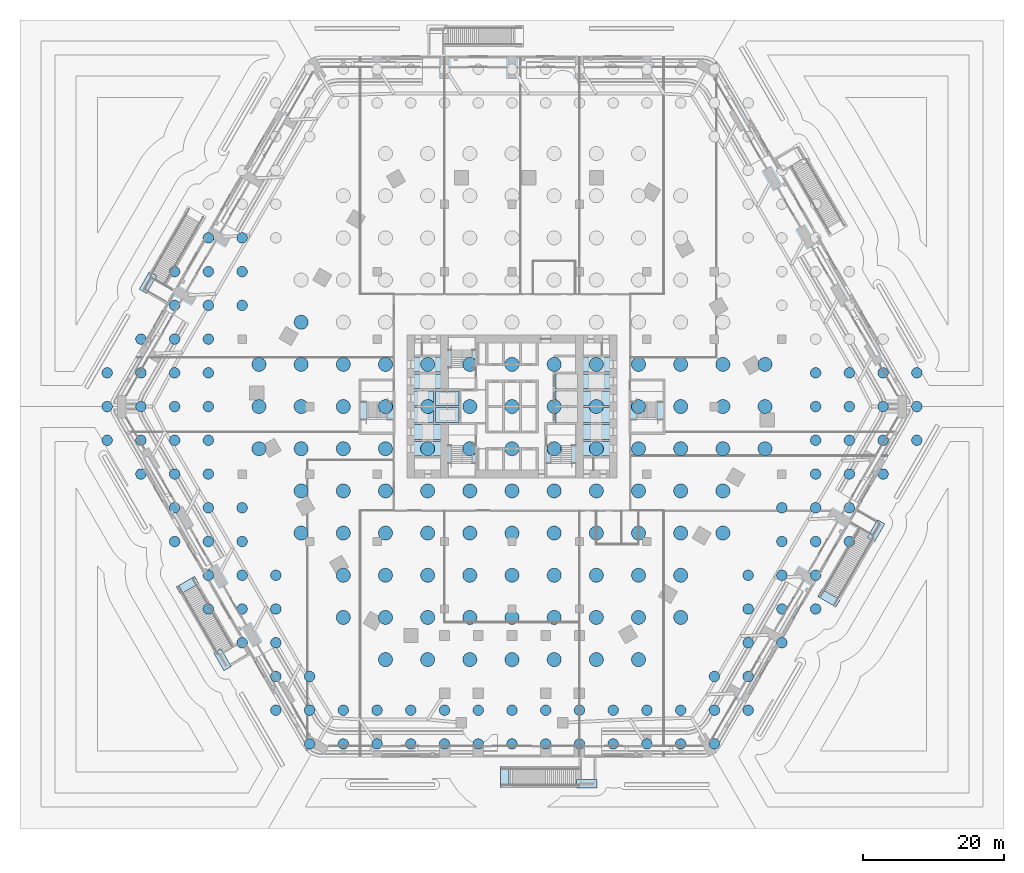
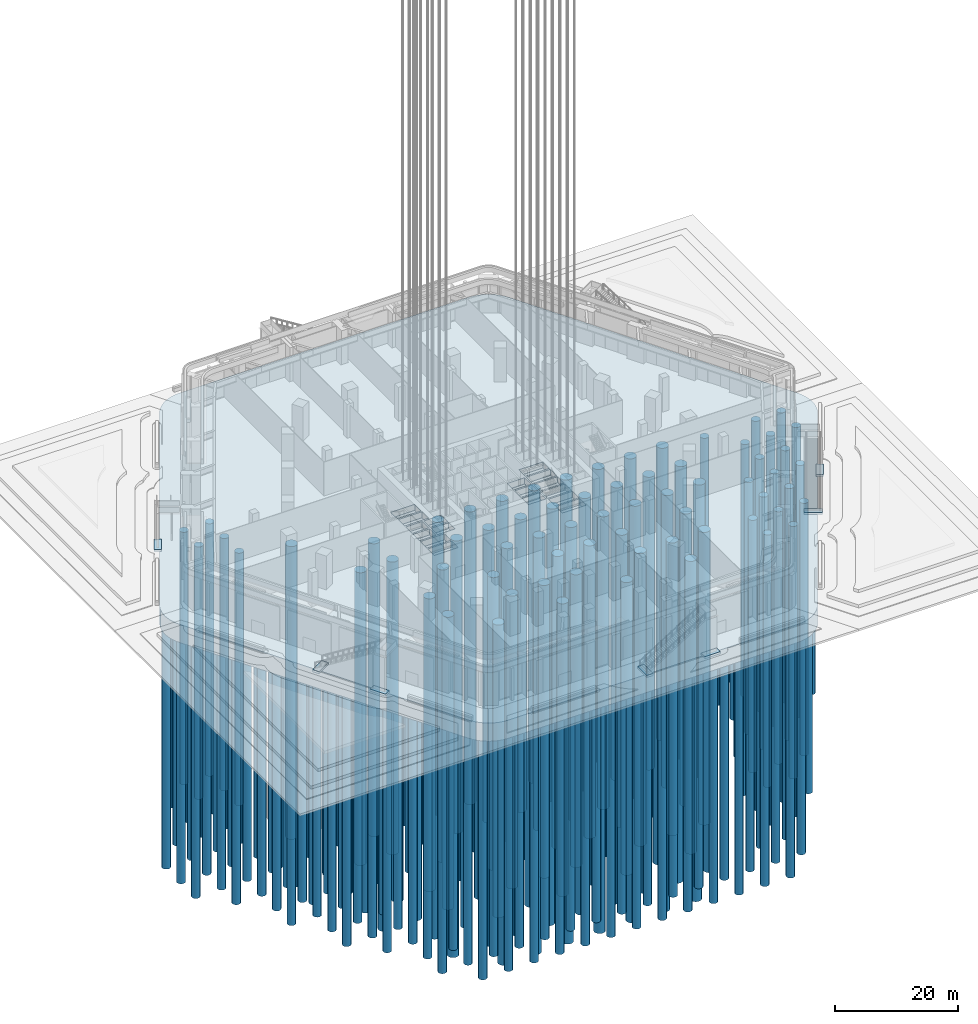
# One storey, part 1 of 68: 188 piles, 8 footings.
"""IFC4 building model written with IfcOpenShell, lengths in metres."""

from ifc_helpers import new_model, si_unit, direction, frame, origin, origin_2d, place, context, subcontext, project, spatial, polyline, circle, outline, extrude, material, layer, layer_set, material_profile, profile_set, type_object, element, save


model = new_model("IFC4")

# Units and contexts
model_context = context("Model", 3, precision=1e-05, world=origin(), true_north=direction((0.0, 1.0)))
body_context = subcontext(model_context, "Body", "Model", "MODEL_VIEW")
ifc_project = project(units=[si_unit("LENGTHUNIT", "METRE"), si_unit("AREAUNIT", "SQUARE_METRE"), si_unit("VOLUMEUNIT", "CUBIC_METRE"), si_unit("PLANEANGLEUNIT", "RADIAN"), si_unit("MASSUNIT", "GRAM", prefix="KILO")], contexts=[model_context])

# Site, building, storey
site_placement = place(None, origin())
site = spatial("IfcSite", under=ifc_project, at=site_placement, CompositionType="ELEMENT")
building_placement = place(site_placement, origin())
building = spatial("IfcBuilding", under=site, at=building_placement, Name="Kolab Exchange Tower", CompositionType="ELEMENT")
storey_placement = place(building_placement, origin())
storey = spatial("IfcBuildingStorey", under=building, at=storey_placement, Name="L00", CompositionType="ELEMENT", Elevation=0.0)

# Piles
ifc_material = material(Name="Concrete C35/45", Category="concrete")
ifc_material_profile_1 = material_profile(ifc_material, circle(Radius=0.75, at=origin_2d()), Name="BP1500")
ifc_profile_set_1 = profile_set([ifc_material_profile_1], Name="Concrete C35/45")
pile_type_1 = type_object("IfcPileType", Name="BORED PILE 1500", PredefinedType="BORED", material=ifc_profile_set_1)
for number, where, z_axis, x_axis, name in (
    (1, (-57.60009765625, -4.800048828125, -4.0), (0.0, 0.0, -1.0), (1.0, 0.0, 0.0), "pile/raft/P000"),
    (2, (-57.60009765625, 0.0, -4.0), (0.0, 0.0, -1.0), (1.0, 0.0, 0.0), "pile/raft/P001"),
    (3, (-57.60009765625, 4.800048828125, -4.0), (0.0, 0.0, -1.0), (1.0, 0.0, 0.0), "pile/raft/P002"),
    (4, (-52.800048828125, -9.60009765625, -4.0), (0.0, 0.0, -1.0), (1.0, 0.0, 0.0), "pile/raft/P003"),
    (5, (-52.800048828125, -4.800048828125, -4.0), (0.0, 0.0, -1.0), (1.0, 0.0, 0.0), "pile/raft/P004"),
    (6, (-52.800048828125, 0.0, -4.0), (0.0, 0.0, -1.0), (1.0, 0.0, 0.0), "pile/raft/P005"),
    (7, (-52.800048828125, 4.800048828125, -4.0), (0.0, 0.0, -1.0), (1.0, 0.0, 0.0), "pile/raft/P006"),
    (8, (-52.800048828125, 9.60009765625, -4.0), (0.0, 0.0, -1.0), (1.0, 0.0, 0.0), "pile/raft/P007"),
    (9, (-48.0, -19.199951171875, -4.0), (0.0, 0.0, -1.0), (1.0, 0.0, 0.0), "pile/raft/P008"),
    (10, (-48.0, -14.39990234375, -4.0), (0.0, 0.0, -1.0), (1.0, 0.0, 0.0), "pile/raft/P009"),
    (11, (-48.0, -9.60009765625, -4.0), (0.0, 0.0, -1.0), (1.0, 0.0, 0.0), "pile/raft/P010"),
    (12, (-48.0, -4.800048828125, -4.0), (0.0, 0.0, -1.0), (1.0, 0.0, 0.0), "pile/raft/P011"),
    (13, (-48.0, 0.0, -4.0), (0.0, 0.0, -1.0), (1.0, 0.0, 0.0), "pile/raft/P012"),
    (14, (-48.0, 4.800048828125, -4.0), (0.0, 0.0, -1.0), (1.0, 0.0, 0.0), "pile/raft/P013"),
    (15, (-48.0, 9.60009765625, -4.0), (0.0, 0.0, -1.0), (1.0, 0.0, 0.0), "pile/raft/P014"),
    (16, (-48.0, 14.39990234375, -4.0), (0.0, 0.0, -1.0), (1.0, 0.0, 0.0), "pile/raft/P015"),
    (17, (-48.0, 19.199951171875, -4.0), (0.0, 0.0, -1.0), (1.0, 0.0, 0.0), "pile/raft/P016"),
    (18, (-43.199951171875, -28.800048828125, -4.0), (0.0, 0.0, -1.0), (1.0, 0.0, 0.0), "pile/raft/P017"),
    (19, (-43.199951171875, -24.0, -4.0), (0.0, 0.0, -1.0), (1.0, 0.0, 0.0), "pile/raft/P018"),
    (20, (-43.199951171875, -19.199951171875, -4.0), (0.0, 0.0, -1.0), (1.0, 0.0, 0.0), "pile/raft/P019"),
    (21, (-43.199951171875, -14.39990234375, -4.0), (0.0, 0.0, -1.0), (1.0, 0.0, 0.0), "pile/raft/P020"),
    (22, (-43.199951171875, -9.60009765625, -4.0), (0.0, 0.0, -1.0), (1.0, 0.0, 0.0), "pile/raft/P021"),
    (23, (-43.199951171875, -4.800048828125, -4.0), (0.0, 0.0, -1.0), (1.0, 0.0, 0.0), "pile/raft/P022"),
    (24, (-43.199951171875, 0.0, -4.0), (0.0, 0.0, -1.0), (1.0, 0.0, 0.0), "pile/raft/P023"),
    (25, (-43.199951171875, 4.800048828125, -4.0), (0.0, 0.0, -1.0), (1.0, 0.0, 0.0), "pile/raft/P024"),
    (26, (-43.199951171875, 9.60009765625, -4.0), (0.0, 0.0, -1.0), (1.0, 0.0, 0.0), "pile/raft/P025"),
    (27, (-43.199951171875, 14.39990234375, -4.0), (0.0, 0.0, -1.0), (1.0, 0.0, 0.0), "pile/raft/P026"),
    (28, (-43.199951171875, 19.199951171875, -4.0), (0.0, 0.0, -1.0), (1.0, 0.0, 0.0), "pile/raft/P027"),
    (29, (-43.199951171875, 24.0, -4.0), (0.0, 0.0, -1.0), (1.0, 0.0, 0.0), "pile/raft/P028"),
    (30, (-38.39990234375, -33.60009765625, -4.0), (0.0, 0.0, -1.0), (1.0, 0.0, 0.0), "pile/raft/P030"),
    (31, (-38.39990234375, -28.800048828125, -4.0), (0.0, 0.0, -1.0), (1.0, 0.0, 0.0), "pile/raft/P031"),
    (32, (-38.39990234375, -24.0, -4.0), (0.0, 0.0, -1.0), (1.0, 0.0, 0.0), "pile/raft/P032"),
    (33, (-38.39990234375, -19.199951171875, -4.0), (0.0, 0.0, -1.0), (1.0, 0.0, 0.0), "pile/raft/P033"),
    (34, (-38.39990234375, -14.39990234375, -4.0), (0.0, 0.0, -1.0), (1.0, 0.0, 0.0), "pile/raft/P034"),
    (35, (-38.39990234375, 14.39990234375, -4.0), (0.0, 0.0, -1.0), (1.0, 0.0, 0.0), "pile/raft/P035"),
    (36, (-38.39990234375, 19.199951171875, -4.0), (0.0, 0.0, -1.0), (1.0, 0.0, 0.0), "pile/raft/P036"),
    (37, (-38.39990234375, 24.0, -4.0), (0.0, 0.0, -1.0), (1.0, 0.0, 0.0), "pile/raft/P037"),
    (38, (-33.60009765625, -43.199951171875, -4.0), (0.0, 0.0, -1.0), (1.0, 0.0, 0.0), "pile/raft/P040"),
    (39, (-33.60009765625, -38.39990234375, -4.0), (0.0, 0.0, -1.0), (1.0, 0.0, 0.0), "pile/raft/P041"),
    (40, (-33.60009765625, -33.60009765625, -4.0), (0.0, 0.0, -1.0), (1.0, 0.0, 0.0), "pile/raft/P042"),
    (41, (-33.60009765625, -28.800048828125, -4.0), (0.0, 0.0, -1.0), (1.0, 0.0, 0.0), "pile/raft/P043"),
    (42, (-33.60009765625, -24.0, -4.0), (0.0, 0.0, -1.0), (1.0, 0.0, 0.0), "pile/raft/P044"),
    (43, (-28.800048828125, -48.0, -4.0), (0.0, 0.0, -1.0), (1.0, 0.0, 0.0), "pile/raft/P050"),
    (44, (-28.800048828125, -43.199951171875, -4.0), (0.0, 0.0, -1.0), (1.0, 0.0, 0.0), "pile/raft/P051"),
    (45, (-28.800048828125, -38.39990234375, -4.0), (0.0, 0.0, -1.0), (1.0, 0.0, 0.0), "pile/raft/P052"),
    (46, (-24.0, -48.0, -4.0), (0.0, 0.0, -1.0), (1.0, 0.0, 0.0), "pile/raft/P056"),
    (47, (-24.0, -43.199951171875, -4.0), (0.0, 0.0, -1.0), (1.0, 0.0, 0.0), "pile/raft/P057"),
    (48, (-19.199951171875, -48.0, -4.0), (0.0, 0.0, -1.0), (1.0, 0.0, 0.0), "pile/raft/P060"),
    (49, (-19.199951171875, -43.199951171875, -4.0), (0.0, 0.0, -1.0), (1.0, 0.0, 0.0), "pile/raft/P061"),
    (50, (-14.39990234375, -48.0, -4.0), (0.0, 0.0, -1.0), (1.0, 0.0, 0.0), "pile/raft/P064"),
    (51, (-14.39990234375, -43.199951171875, -4.0), (0.0, 0.0, -1.0), (1.0, 0.0, 0.0), "pile/raft/P065"),
    (52, (-9.60009765625, -48.0, -4.0), (0.0, 0.0, -1.0), (1.0, 0.0, 0.0), "pile/raft/P068"),
    (53, (-9.60009765625, -43.199951171875, -4.0), (0.0, 0.0, -1.0), (1.0, 0.0, 0.0), "pile/raft/P069"),
    (54, (-4.800048828125, -48.0, -4.0), (0.0, 0.0, -1.0), (1.0, 0.0, 0.0), "pile/raft/P072"),
    (55, (-4.800048828125, -43.199951171875, -4.0), (0.0, 0.0, -1.0), (1.0, 0.0, 0.0), "pile/raft/P073"),
    (56, (0.0, -48.0, -4.0), (0.0, 0.0, -1.0), (1.0, 0.0, 0.0), "pile/raft/P076"),
    (57, (0.0, -43.199951171875, -4.0), (0.0, 0.0, -1.0), (1.0, 0.0, 0.0), "pile/raft/P077"),
    (58, (4.800048828125, -48.0, -4.0), (0.0, 0.0, -1.0), (1.0, 0.0, 0.0), "pile/raft/P080"),
    (59, (4.800048828125, -43.199951171875, -4.0), (0.0, 0.0, -1.0), (1.0, 0.0, 0.0), "pile/raft/P081"),
    (60, (9.60009765625, -48.0, -4.0), (0.0, 0.0, -1.0), (1.0, 0.0, 0.0), "pile/raft/P084"),
    (61, (9.60009765625, -43.199951171875, -4.0), (0.0, 0.0, -1.0), (1.0, 0.0, 0.0), "pile/raft/P085"),
    (62, (14.39990234375, -48.0, -4.0), (0.0, 0.0, -1.0), (1.0, 0.0, 0.0), "pile/raft/P088"),
    (63, (14.39990234375, -43.199951171875, -4.0), (0.0, 0.0, -1.0), (1.0, 0.0, 0.0), "pile/raft/P089"),
    (64, (19.199951171875, -48.0, -4.0), (0.0, 0.0, -1.0), (1.0, 0.0, 0.0), "pile/raft/P092"),
    (65, (19.199951171875, -43.199951171875, -4.0), (0.0, 0.0, -1.0), (1.0, 0.0, 0.0), "pile/raft/P093"),
    (66, (24.0, -48.0, -4.0), (0.0, 0.0, -1.0), (1.0, 0.0, 0.0), "pile/raft/P096"),
    (67, (24.0, -43.199951171875, -4.0), (0.0, 0.0, -1.0), (1.0, 0.0, 0.0), "pile/raft/P097"),
    (68, (28.800048828125, -48.0, -4.0), (0.0, 0.0, -1.0), (1.0, 0.0, 0.0), "pile/raft/P100"),
    (69, (28.800048828125, -43.199951171875, -4.0), (0.0, 0.0, -1.0), (1.0, 0.0, 0.0), "pile/raft/P101"),
    (70, (28.800048828125, -38.39990234375, -4.0), (0.0, 0.0, -1.0), (1.0, 0.0, 0.0), "pile/raft/P102"),
    (71, (33.60009765625, -43.199951171875, -4.0), (0.0, 0.0, -1.0), (1.0, 0.0, 0.0), "pile/raft/P106"),
    (72, (33.60009765625, -38.39990234375, -4.0), (0.0, 0.0, -1.0), (1.0, 0.0, 0.0), "pile/raft/P107"),
    (73, (33.60009765625, -33.60009765625, -4.0), (0.0, 0.0, -1.0), (1.0, 0.0, 0.0), "pile/raft/P108"),
    (74, (33.60009765625, -28.800048828125, -4.0), (0.0, 0.0, -1.0), (1.0, 0.0, 0.0), "pile/raft/P109"),
    (75, (33.60009765625, -24.0, -4.0), (0.0, 0.0, -1.0), (1.0, 0.0, 0.0), "pile/raft/P110"),
    (76, (38.39990234375, -33.60009765625, -4.0), (0.0, 0.0, -1.0), (1.0, 0.0, 0.0), "pile/raft/P116"),
    (77, (38.39990234375, -28.800048828125, -4.0), (0.0, 0.0, -1.0), (1.0, 0.0, 0.0), "pile/raft/P117"),
    (78, (38.39990234375, -24.0, -4.0), (0.0, 0.0, -1.0), (1.0, 0.0, 0.0), "pile/raft/P118"),
    (79, (38.39990234375, -19.199951171875, -4.0), (0.0, 0.0, -1.0), (1.0, 0.0, 0.0), "pile/raft/P119"),
    (80, (38.39990234375, -14.39990234375, -4.0), (0.0, 0.0, -1.0), (1.0, 0.0, 0.0), "pile/raft/P120"),
    (81, (43.199951171875, -28.800048828125, -4.0), (0.0, 0.0, -1.0), (1.0, 0.0, 0.0), "pile/raft/P126"),
    (82, (43.199951171875, -24.0, -4.0), (0.0, 0.0, -1.0), (1.0, 0.0, 0.0), "pile/raft/P127"),
    (83, (43.199951171875, -19.199951171875, -4.0), (0.0, 0.0, -1.0), (1.0, 0.0, 0.0), "pile/raft/P128"),
    (84, (43.199951171875, -14.39990234375, -4.0), (0.0, 0.0, -1.0), (1.0, 0.0, 0.0), "pile/raft/P129"),
    (85, (43.199951171875, -9.60009765625, -4.0), (0.0, 0.0, -1.0), (1.0, 0.0, 0.0), "pile/raft/P130"),
    (86, (43.199951171875, -4.800048828125, -4.0), (0.0, 0.0, -1.0), (1.0, 0.0, 0.0), "pile/raft/P131"),
    (87, (43.199951171875, 0.0, -4.0), (0.0, 0.0, -1.0), (1.0, 0.0, 0.0), "pile/raft/P132"),
    (88, (43.199951171875, 4.800048828125, -4.0), (0.0, 0.0, -1.0), (1.0, 0.0, 0.0), "pile/raft/P133"),
    (89, (48.0, -19.199951171875, -4.0), (0.0, 0.0, -1.0), (1.0, 0.0, 0.0), "pile/raft/P139"),
    (90, (48.0, -14.39990234375, -4.0), (0.0, 0.0, -1.0), (1.0, 0.0, 0.0), "pile/raft/P140"),
    (91, (48.0, -9.60009765625, -4.0), (0.0, 0.0, -1.0), (1.0, 0.0, 0.0), "pile/raft/P141"),
    (92, (48.0, -4.800048828125, -4.0), (0.0, 0.0, -1.0), (1.0, 0.0, 0.0), "pile/raft/P142"),
    (93, (48.0, 0.0, -4.0), (0.0, 0.0, -1.0), (1.0, 0.0, 0.0), "pile/raft/P143"),
    (94, (48.0, 4.800048828125, -4.0), (0.0, 0.0, -1.0), (1.0, 0.0, 0.0), "pile/raft/P144"),
    (95, (52.800048828125, -9.60009765625, -4.0), (0.0, 0.0, -1.0), (1.0, 0.0, 0.0), "pile/raft/P148"),
    (96, (52.800048828125, -4.800048828125, -4.0), (0.0, 0.0, -1.0), (1.0, 0.0, 0.0), "pile/raft/P149"),
    (97, (52.800048828125, 0.0, -4.0), (0.0, 0.0, -1.0), (1.0, 0.0, 0.0), "pile/raft/P150"),
    (98, (52.800048828125, 4.800048828125, -4.0), (0.0, 0.0, -1.0), (1.0, 0.0, 0.0), "pile/raft/P151"),
    (99, (57.60009765625, -4.800048828125, -4.0), (0.0, 0.0, -1.0), (1.0, 0.0, 0.0), "pile/raft/P153"),
    (100, (57.60009765625, 0.0, -4.0), (0.0, 0.0, -1.0), (1.0, 0.0, 0.0), "pile/raft/P154"),
    (101, (57.60009765625, 4.800048828125, -4.0), (0.0, 0.0, -1.0), (1.0, 0.0, 0.0), "pile/raft/P155"),
):
    element("IfcPile", number, at=place(storey_placement, frame(where, z_axis=z_axis, x_axis=x_axis)), inside=storey, type_object=pile_type_1, Name=name, PredefinedType="BORED", context=body_context, shape_type="SweptSolid", body=[
        extrude(circle(Radius=0.75, at=origin_2d()), origin(), (0.0, 0.0, 1.0), 50.0),
    ])
ifc_material_profile_2 = material_profile(ifc_material, circle(Radius=1.0, at=origin_2d()), Name="BP2000")
ifc_profile_set_2 = profile_set([ifc_material_profile_2], Name="Concrete C35/45")
pile_type_2 = type_object("IfcPileType", Name="BORED PILE 2000", PredefinedType="BORED", material=ifc_profile_set_2)
for number, where, z_axis, x_axis, name in (
    (102, (-36.0, -6.0, -4.0), (0.0, 0.0, -1.0), (1.0, 0.0, 0.0), "pile/raft/T000"),
    (103, (-36.0, 0.0, -4.0), (0.0, 0.0, -1.0), (1.0, 0.0, 0.0), "pile/raft/T001"),
    (104, (-36.0, 6.0, -4.0), (0.0, 0.0, -1.0), (1.0, 0.0, 0.0), "pile/raft/T002"),
    (105, (-30.0, -18.0, -4.0), (0.0, 0.0, -1.0), (1.0, 0.0, 0.0), "pile/raft/T003"),
    (106, (-30.0, -12.0, -4.0), (0.0, 0.0, -1.0), (1.0, 0.0, 0.0), "pile/raft/T004"),
    (107, (-30.0, -6.0, -4.0), (0.0, 0.0, -1.0), (1.0, 0.0, 0.0), "pile/raft/T005"),
    (108, (-30.0, 0.0, -4.0), (0.0, 0.0, -1.0), (1.0, 0.0, 0.0), "pile/raft/T006"),
    (109, (-30.0, 6.0, -4.0), (0.0, 0.0, -1.0), (1.0, 0.0, 0.0), "pile/raft/T007"),
    (110, (-30.0, 12.0, -4.0), (0.0, 0.0, -1.0), (1.0, 0.0, 0.0), "pile/raft/T008"),
    (111, (-24.0, -30.0, -4.0), (0.0, 0.0, -1.0), (1.0, 0.0, 0.0), "pile/raft/T010"),
    (112, (-24.0, -24.0, -4.0), (0.0, 0.0, -1.0), (1.0, 0.0, 0.0), "pile/raft/T011"),
    (113, (-24.0, -18.0, -4.0), (0.0, 0.0, -1.0), (1.0, 0.0, 0.0), "pile/raft/T012"),
    (114, (-24.0, -12.0, -4.0), (0.0, 0.0, -1.0), (1.0, 0.0, 0.0), "pile/raft/T013"),
    (115, (-24.0, -6.0, -4.0), (0.0, 0.0, -1.0), (1.0, 0.0, 0.0), "pile/raft/T014"),
    (116, (-24.0, 0.0, -4.0), (0.0, 0.0, -1.0), (1.0, 0.0, 0.0), "pile/raft/T015"),
    (117, (-24.0, 6.0, -4.0), (0.0, 0.0, -1.0), (1.0, 0.0, 0.0), "pile/raft/T016"),
    (118, (-18.0, -36.0, -4.0), (0.0, 0.0, -1.0), (1.0, 0.0, 0.0), "pile/raft/T021"),
    (119, (-18.0, -30.0, -4.0), (0.0, 0.0, -1.0), (1.0, 0.0, 0.0), "pile/raft/T022"),
    (120, (-18.0, -24.0, -4.0), (0.0, 0.0, -1.0), (1.0, 0.0, 0.0), "pile/raft/T023"),
    (121, (-18.0, -18.0, -4.0), (0.0, 0.0, -1.0), (1.0, 0.0, 0.0), "pile/raft/T024"),
    (122, (-18.0, -12.0, -4.0), (0.0, 0.0, -1.0), (1.0, 0.0, 0.0), "pile/raft/T025"),
    (123, (-18.0, -6.0, -4.0), (0.0, 0.0, -1.0), (1.0, 0.0, 0.0), "pile/raft/T026"),
    (124, (-18.0, 0.0, -4.0), (0.0, 0.0, -1.0), (1.0, 0.0, 0.0), "pile/raft/T027"),
    (125, (-18.0, 6.0, -4.0), (0.0, 0.0, -1.0), (1.0, 0.0, 0.0), "pile/raft/T028"),
    (126, (-12.0, -36.0, -4.0), (0.0, 0.0, -1.0), (1.0, 0.0, 0.0), "pile/raft/T034"),
    (127, (-12.0, -30.0, -4.0), (0.0, 0.0, -1.0), (1.0, 0.0, 0.0), "pile/raft/T035"),
    (128, (-12.0, -24.0, -4.0), (0.0, 0.0, -1.0), (1.0, 0.0, 0.0), "pile/raft/T036"),
    (129, (-12.0, -18.0, -4.0), (0.0, 0.0, -1.0), (1.0, 0.0, 0.0), "pile/raft/T037"),
    (130, (-12.0, -12.0, -4.0), (0.0, 0.0, -1.0), (1.0, 0.0, 0.0), "pile/raft/T038"),
    (131, (-12.0, -6.0, -4.0), (0.0, 0.0, -1.0), (1.0, 0.0, 0.0), "pile/raft/T039"),
    (132, (-12.0, 0.0, -4.0), (0.0, 0.0, -1.0), (1.0, 0.0, 0.0), "pile/raft/T040"),
    (133, (-12.0, 6.0, -4.0), (0.0, 0.0, -1.0), (1.0, 0.0, 0.0), "pile/raft/T041"),
    (134, (-6.0, -36.0, -4.0), (0.0, 0.0, -1.0), (1.0, 0.0, 0.0), "pile/raft/T047"),
    (135, (-6.0, -30.0, -4.0), (0.0, 0.0, -1.0), (1.0, 0.0, 0.0), "pile/raft/T048"),
    (136, (-6.0, -24.0, -4.0), (0.0, 0.0, -1.0), (1.0, 0.0, 0.0), "pile/raft/T049"),
    (137, (-6.0, -18.0, -4.0), (0.0, 0.0, -1.0), (1.0, 0.0, 0.0), "pile/raft/T050"),
    (138, (-6.0, -12.0, -4.0), (0.0, 0.0, -1.0), (1.0, 0.0, 0.0), "pile/raft/T051"),
    (139, (-6.0, -6.0, -4.0), (0.0, 0.0, -1.0), (1.0, 0.0, 0.0), "pile/raft/T052"),
    (140, (-6.0, 0.0, -4.0), (0.0, 0.0, -1.0), (1.0, 0.0, 0.0), "pile/raft/T053"),
    (141, (-6.0, 6.0, -4.0), (0.0, 0.0, -1.0), (1.0, 0.0, 0.0), "pile/raft/T054"),
    (142, (0.0, -36.0, -4.0), (0.0, 0.0, -1.0), (1.0, 0.0, 0.0), "pile/raft/T060"),
    (143, (0.0, -30.0, -4.0), (0.0, 0.0, -1.0), (1.0, 0.0, 0.0), "pile/raft/T061"),
    (144, (0.0, -24.0, -4.0), (0.0, 0.0, -1.0), (1.0, 0.0, 0.0), "pile/raft/T062"),
    (145, (0.0, -18.0, -4.0), (0.0, 0.0, -1.0), (1.0, 0.0, 0.0), "pile/raft/T063"),
    (146, (0.0, -12.0, -4.0), (0.0, 0.0, -1.0), (1.0, 0.0, 0.0), "pile/raft/T064"),
    (147, (0.0, -6.0, -4.0), (0.0, 0.0, -1.0), (1.0, 0.0, 0.0), "pile/raft/T065"),
    (148, (0.0, 0.0, -4.0), (0.0, 0.0, -1.0), (1.0, 0.0, 0.0), "pile/raft/T066"),
    (149, (0.0, 6.0, -4.0), (0.0, 0.0, -1.0), (1.0, 0.0, 0.0), "pile/raft/T067"),
    (150, (6.0, -36.0, -4.0), (0.0, 0.0, -1.0), (1.0, 0.0, 0.0), "pile/raft/T073"),
    (151, (6.0, -30.0, -4.0), (0.0, 0.0, -1.0), (1.0, 0.0, 0.0), "pile/raft/T074"),
    (152, (6.0, -24.0, -4.0), (0.0, 0.0, -1.0), (1.0, 0.0, 0.0), "pile/raft/T075"),
    (153, (6.0, -18.0, -4.0), (0.0, 0.0, -1.0), (1.0, 0.0, 0.0), "pile/raft/T076"),
    (154, (6.0, -12.0, -4.0), (0.0, 0.0, -1.0), (1.0, 0.0, 0.0), "pile/raft/T077"),
    (155, (6.0, -6.0, -4.0), (0.0, 0.0, -1.0), (1.0, 0.0, 0.0), "pile/raft/T078"),
    (156, (6.0, 0.0, -4.0), (0.0, 0.0, -1.0), (1.0, 0.0, 0.0), "pile/raft/T079"),
    (157, (6.0, 6.0, -4.0), (0.0, 0.0, -1.0), (1.0, 0.0, 0.0), "pile/raft/T080"),
    (158, (12.0, -36.0, -4.0), (0.0, 0.0, -1.0), (1.0, 0.0, 0.0), "pile/raft/T086"),
    (159, (12.0, -30.0, -4.0), (0.0, 0.0, -1.0), (1.0, 0.0, 0.0), "pile/raft/T087"),
    (160, (12.0, -24.0, -4.0), (0.0, 0.0, -1.0), (1.0, 0.0, 0.0), "pile/raft/T088"),
    (161, (12.0, -18.0, -4.0), (0.0, 0.0, -1.0), (1.0, 0.0, 0.0), "pile/raft/T089"),
    (162, (12.0, -12.0, -4.0), (0.0, 0.0, -1.0), (1.0, 0.0, 0.0), "pile/raft/T090"),
    (163, (12.0, -6.0, -4.0), (0.0, 0.0, -1.0), (1.0, 0.0, 0.0), "pile/raft/T091"),
    (164, (12.0, 0.0, -4.0), (0.0, 0.0, -1.0), (1.0, 0.0, 0.0), "pile/raft/T092"),
    (165, (12.0, 6.0, -4.0), (0.0, 0.0, -1.0), (1.0, 0.0, 0.0), "pile/raft/T093"),
    (166, (18.0, -36.0, -4.0), (0.0, 0.0, -1.0), (1.0, 0.0, 0.0), "pile/raft/T099"),
    (167, (18.0, -30.0, -4.0), (0.0, 0.0, -1.0), (1.0, 0.0, 0.0), "pile/raft/T100"),
    (168, (18.0, -24.0, -4.0), (0.0, 0.0, -1.0), (1.0, 0.0, 0.0), "pile/raft/T101"),
    (169, (18.0, -18.0, -4.0), (0.0, 0.0, -1.0), (1.0, 0.0, 0.0), "pile/raft/T102"),
    (170, (18.0, -12.0, -4.0), (0.0, 0.0, -1.0), (1.0, 0.0, 0.0), "pile/raft/T103"),
    (171, (18.0, -6.0, -4.0), (0.0, 0.0, -1.0), (1.0, 0.0, 0.0), "pile/raft/T104"),
    (172, (18.0, 0.0, -4.0), (0.0, 0.0, -1.0), (1.0, 0.0, 0.0), "pile/raft/T105"),
    (173, (18.0, 6.0, -4.0), (0.0, 0.0, -1.0), (1.0, 0.0, 0.0), "pile/raft/T106"),
    (174, (24.0, -30.0, -4.0), (0.0, 0.0, -1.0), (1.0, 0.0, 0.0), "pile/raft/T112"),
    (175, (24.0, -24.0, -4.0), (0.0, 0.0, -1.0), (1.0, 0.0, 0.0), "pile/raft/T113"),
    (176, (24.0, -18.0, -4.0), (0.0, 0.0, -1.0), (1.0, 0.0, 0.0), "pile/raft/T114"),
    (177, (24.0, -12.0, -4.0), (0.0, 0.0, -1.0), (1.0, 0.0, 0.0), "pile/raft/T115"),
    (178, (24.0, -6.0, -4.0), (0.0, 0.0, -1.0), (1.0, 0.0, 0.0), "pile/raft/T116"),
    (179, (24.0, 0.0, -4.0), (0.0, 0.0, -1.0), (1.0, 0.0, 0.0), "pile/raft/T117"),
    (180, (24.0, 6.0, -4.0), (0.0, 0.0, -1.0), (1.0, 0.0, 0.0), "pile/raft/T118"),
    (181, (30.0, -18.0, -4.0), (0.0, 0.0, -1.0), (1.0, 0.0, 0.0), "pile/raft/T123"),
    (182, (30.0, -12.0, -4.0), (0.0, 0.0, -1.0), (1.0, 0.0, 0.0), "pile/raft/T124"),
    (183, (30.0, -6.0, -4.0), (0.0, 0.0, -1.0), (1.0, 0.0, 0.0), "pile/raft/T125"),
    (184, (30.0, 0.0, -4.0), (0.0, 0.0, -1.0), (1.0, 0.0, 0.0), "pile/raft/T126"),
    (185, (30.0, 6.0, -4.0), (0.0, 0.0, -1.0), (1.0, 0.0, 0.0), "pile/raft/T127"),
    (186, (36.0, -6.0, -4.0), (0.0, 0.0, -1.0), (1.0, 0.0, 0.0), "pile/raft/T130"),
    (187, (36.0, 0.0, -4.0), (0.0, 0.0, -1.0), (1.0, 0.0, 0.0), "pile/raft/T131"),
    (188, (36.0, 6.0, -4.0), (0.0, 0.0, -1.0), (1.0, 0.0, 0.0), "pile/raft/T132"),
):
    element("IfcPile", number, at=place(storey_placement, frame(where, z_axis=z_axis, x_axis=x_axis)), inside=storey, type_object=pile_type_2, Name=name, PredefinedType="BORED", context=body_context, shape_type="SweptSolid", body=[
        extrude(circle(Radius=1.0, at=origin_2d()), origin(), (0.0, 0.0, 1.0), 58.0),
    ])

# Footings
ifc_layer_1 = layer(ifc_material, 3.60009765625)
ifc_layer_set_1 = layer_set([ifc_layer_1], Name="Concrete C35/45")
footing_type_1 = type_object("IfcFootingType", Name="RAFT FOUNDATION 3600", PredefinedType="USERDEFINED", material=ifc_layer_set_1)
footing_1_placement = place(storey_placement, frame((0.0, 0.0, -4.0)))
element("IfcFooting", 189, at=footing_1_placement, inside=storey, type_object=footing_type_1, Name="footing/raft", ObjectType="RAFT FOUNDATION", PredefinedType="USERDEFINED", context=body_context, shape_type="SweptSolid", body=[
    extrude(outline(polyline([(59.906005859375, -2.979248046875), (60.126953125, -2.505126953125), (60.335693359375, -1.931884765625), (60.470947265625, -1.4267578125), (60.576904296875, -0.825927734375), (60.62255859375, -0.304931640625), (60.62255859375, 0.304931640625), (60.576904296875, 0.825927734375), (60.470947265625, 1.4267578125), (60.335693359375, 1.931884765625), (60.126953125, 2.505126953125), (59.906005859375, 2.979248046875), (59.76513671875, 3.25), (32.697021484375, 50.133056640625), (32.532958984375, 50.390625), (32.233154296875, 50.81884765625), (31.841064453125, 51.286376953125), (31.47119140625, 51.656005859375), (31.00390625, 52.04833984375), (30.575439453125, 52.34814453125), (30.047119140625, 52.6533203125), (29.5732421875, 52.874267578125), (29.0, 53.082763671875), (28.494873046875, 53.21826171875), (27.89404296875, 53.32421875), (27.373046875, 53.36962890625), (27.06787109375, 53.383056640625), (-27.06787109375, 53.383056640625), (-27.373046875, 53.36962890625), (-27.89404296875, 53.32421875), (-28.494873046875, 53.21826171875), (-29.0, 53.082763671875), (-29.5732421875, 52.874267578125), (-30.047119140625, 52.6533203125), (-30.575439453125, 52.34814453125), (-31.00390625, 52.04833984375), (-31.47119140625, 51.656005859375), (-31.841064453125, 51.286376953125), (-32.233154296875, 50.81884765625), (-32.532958984375, 50.390625), (-32.697021484375, 50.133056640625), (-59.76513671875, 3.25), (-59.906005859375, 2.979248046875), (-60.126953125, 2.505126953125), (-60.335693359375, 1.931884765625), (-60.470947265625, 1.4267578125), (-60.576904296875, 0.825927734375), (-60.62255859375, 0.304931640625), (-60.62255859375, -0.304931640625), (-60.576904296875, -0.825927734375), (-60.470947265625, -1.4267578125), (-60.335693359375, -1.931884765625), (-60.126953125, -2.505126953125), (-59.906005859375, -2.979248046875), (-59.76513671875, -3.25), (-32.697021484375, -50.133056640625), (-32.532958984375, -50.390625), (-32.233154296875, -50.81884765625), (-31.841064453125, -51.286376953125), (-31.47119140625, -51.656005859375), (-31.00390625, -52.04833984375), (-30.575439453125, -52.34814453125), (-30.047119140625, -52.6533203125), (-29.5732421875, -52.874267578125), (-29.0, -53.082763671875), (-28.494873046875, -53.21826171875), (-27.89404296875, -53.32421875), (-27.373046875, -53.36962890625), (-27.06787109375, -53.383056640625), (27.06787109375, -53.383056640625), (27.373046875, -53.36962890625), (27.89404296875, -53.32421875), (28.494873046875, -53.21826171875), (29.0, -53.082763671875), (29.5732421875, -52.874267578125), (30.047119140625, -52.6533203125), (30.575439453125, -52.34814453125), (31.00390625, -52.04833984375), (31.47119140625, -51.656005859375), (31.841064453125, -51.286376953125), (32.233154296875, -50.81884765625), (32.532958984375, -50.390625), (32.697021484375, -50.133056640625), (59.76513671875, -3.25), (59.906005859375, -2.979248046875)])), origin(), (0.0, 0.0, 1.0), 2.39990234375),
    extrude(outline(polyline([(59.76513671875, -3.25), (59.906005859375, -2.979248046875), (60.126953125, -2.505126953125), (60.335693359375, -1.931884765625), (60.470947265625, -1.4267578125), (60.576904296875, -0.825927734375), (60.62255859375, -0.304931640625), (60.62255859375, 0.304931640625), (60.576904296875, 0.825927734375), (60.470947265625, 1.4267578125), (60.335693359375, 1.931884765625), (60.126953125, 2.505126953125), (59.906005859375, 2.979248046875), (59.76513671875, 3.25), (32.697021484375, 50.133056640625), (32.532958984375, 50.390625), (32.233154296875, 50.81884765625), (31.841064453125, 51.286376953125), (31.47119140625, 51.656005859375), (31.00390625, 52.04833984375), (30.575439453125, 52.34814453125), (30.047119140625, 52.6533203125), (29.5732421875, 52.874267578125), (29.0, 53.082763671875), (28.494873046875, 53.21826171875), (27.89404296875, 53.32421875), (27.373046875, 53.36962890625), (27.06787109375, 53.383056640625), (-27.06787109375, 53.383056640625), (-27.373046875, 53.36962890625), (-27.89404296875, 53.32421875), (-28.494873046875, 53.21826171875), (-29.0, 53.082763671875), (-29.5732421875, 52.874267578125), (-30.047119140625, 52.6533203125), (-30.575439453125, 52.34814453125), (-31.00390625, 52.04833984375), (-31.47119140625, 51.656005859375), (-31.841064453125, 51.286376953125), (-32.233154296875, 50.81884765625), (-32.532958984375, 50.390625), (-32.697021484375, 50.133056640625), (-59.76513671875, 3.25), (-59.906005859375, 2.979248046875), (-60.126953125, 2.505126953125), (-60.335693359375, 1.931884765625), (-60.470947265625, 1.4267578125), (-60.576904296875, 0.825927734375), (-60.62255859375, 0.304931640625), (-60.62255859375, -0.304931640625), (-60.576904296875, -0.825927734375), (-60.470947265625, -1.4267578125), (-60.335693359375, -1.931884765625), (-60.126953125, -2.505126953125), (-59.906005859375, -2.979248046875), (-59.76513671875, -3.25), (-32.697021484375, -50.133056640625), (-32.532958984375, -50.390625), (-32.233154296875, -50.81884765625), (-31.841064453125, -51.286376953125), (-31.47119140625, -51.656005859375), (-31.00390625, -52.04833984375), (-30.575439453125, -52.34814453125), (-30.047119140625, -52.6533203125), (-29.5732421875, -52.874267578125), (-29.0, -53.082763671875), (-28.494873046875, -53.21826171875), (-27.89404296875, -53.32421875), (-27.373046875, -53.36962890625), (-27.06787109375, -53.383056640625), (27.06787109375, -53.383056640625), (27.373046875, -53.36962890625), (27.89404296875, -53.32421875), (28.494873046875, -53.21826171875), (29.0, -53.082763671875), (29.5732421875, -52.874267578125), (30.047119140625, -52.6533203125), (30.575439453125, -52.34814453125), (31.00390625, -52.04833984375), (31.47119140625, -51.656005859375), (31.841064453125, -51.286376953125), (32.233154296875, -50.81884765625), (32.532958984375, -50.390625), (32.697021484375, -50.133056640625), (59.76513671875, -3.25)]), holes=[polyline([(-9.75, -7.050048828125), (-14.25, -7.050048828125), (-14.25, -4.949951171875), (-9.75, -4.949951171875), (-9.75, -7.050048828125)]), polyline([(-9.75, -4.64990234375), (-14.25, -4.64990234375), (-14.25, -2.550048828125), (-9.75, -2.550048828125), (-9.75, -4.64990234375)]), polyline([(-11.14990234375, -2.25), (-14.25, -2.25), (-14.25, -0.14990234375), (-11.14990234375, -0.14990234375), (-11.14990234375, -2.25)]), polyline([(-7.550048828125, -2.25), (-10.85009765625, -2.25), (-10.85009765625, -0.14990234375), (-7.550048828125, -0.14990234375), (-7.550048828125, -2.25)]), polyline([(-7.550048828125, 0.14990234375), (-10.85009765625, 0.14990234375), (-10.85009765625, 2.25), (-7.550048828125, 2.25), (-7.550048828125, 0.14990234375)]), polyline([(-11.14990234375, 0.14990234375), (-14.25, 0.14990234375), (-14.25, 2.25), (-11.14990234375, 2.25), (-11.14990234375, 0.14990234375)]), polyline([(9.449951171875, 2.550048828125), (6.14990234375, 2.550048828125), (6.14990234375, 4.64990234375), (9.449951171875, 4.64990234375), (9.449951171875, 2.550048828125)]), polyline([(-9.75, 2.550048828125), (-14.25, 2.550048828125), (-14.25, 4.64990234375), (-9.75, 4.64990234375), (-9.75, 2.550048828125)]), polyline([(-9.75, 4.949951171875), (-14.25, 4.949951171875), (-14.25, 7.050048828125), (-9.75, 7.050048828125), (-9.75, 4.949951171875)]), polyline([(14.25, -7.050048828125), (9.75, -7.050048828125), (9.75, -4.949951171875), (14.25, -4.949951171875), (14.25, -7.050048828125)]), polyline([(14.25, -4.64990234375), (9.75, -4.64990234375), (9.75, -2.550048828125), (14.25, -2.550048828125), (14.25, -4.64990234375)]), polyline([(14.25, -2.25), (9.75, -2.25), (9.75, -0.14990234375), (14.25, -0.14990234375), (14.25, -2.25)]), polyline([(9.449951171875, -2.25), (6.14990234375, -2.25), (6.14990234375, -0.14990234375), (9.449951171875, -0.14990234375), (9.449951171875, -2.25)]), polyline([(9.449951171875, 0.14990234375), (6.14990234375, 0.14990234375), (6.14990234375, 2.25), (9.449951171875, 2.25), (9.449951171875, 0.14990234375)]), polyline([(14.25, 0.14990234375), (9.75, 0.14990234375), (9.75, 2.25), (14.25, 2.25), (14.25, 0.14990234375)]), polyline([(9.75, 2.550048828125), (9.75, 4.64990234375), (14.25, 4.64990234375), (14.25, 2.550048828125), (9.75, 2.550048828125)]), polyline([(9.75, 4.949951171875), (9.75, 7.050048828125), (14.25, 7.050048828125), (14.25, 4.949951171875), (9.75, 4.949951171875)])]), frame((0.0, 0.0, 2.3994140625)), (0.0, 0.0, 1.0), 1.20068359375),
])
ifc_layer_2 = layer(ifc_material, 0.39990234375)
ifc_layer_set_2 = layer_set([ifc_layer_2], Name="Concrete C35/45")
footing_type_2 = type_object("IfcFootingType", Name="STAIR PIER PAD FOOTING 400", PredefinedType="PAD_FOOTING", material=ifc_layer_set_2)
footing_2_placement = place(storey_placement, frame((0.0, 0.0, -0.39990234375)))
element("IfcFooting", 190, at=footing_2_placement, inside=storey, type_object=footing_type_2, Name="footing/pad/GS3-C", PredefinedType="PAD_FOOTING", context=body_context, shape_type="SweptSolid", body=[
    extrude(outline(polyline([(53.04052734375, -16.697265625), (52.001220703125, -16.09716796875), (50.55126953125, -18.608642578125), (51.590576171875, -19.208740234375), (53.04052734375, -16.697265625)])), origin(), (0.0, 0.0, 1.0), 0.39990234375),
])
footing_3_placement = place(storey_placement, frame((0.0, 0.0, -0.39990234375)))
element("IfcFooting", 191, at=footing_3_placement, inside=storey, type_object=footing_type_2, Name="footing/pad/GS3-C-foot", PredefinedType="PAD_FOOTING", context=body_context, shape_type="SweptSolid", body=[
    extrude(outline(polyline([(44.095947265625, -25.989990234375), (43.495849609375, -27.029052734375), (46.093994140625, -28.529052734375), (46.69384765625, -27.489990234375), (44.095947265625, -25.989990234375)])), origin(), (0.0, 0.0, 1.0), 0.39990234375),
])
footing_4_placement = place(storey_placement, frame((0.0, 0.0, -0.39990234375)))
element("IfcFooting", 192, at=footing_4_placement, inside=storey, type_object=footing_type_2, Name="footing/pad/GS4-C", PredefinedType="PAD_FOOTING", context=body_context, shape_type="SweptSolid", body=[
    extrude(outline(polyline([(12.06005859375, -54.282958984375), (12.06005859375, -53.0830078125), (9.159912109375, -53.0830078125), (9.159912109375, -54.282958984375), (12.06005859375, -54.282958984375)])), origin(), (0.0, 0.0, 1.0), 0.39990234375),
])
footing_5_placement = place(storey_placement, frame((0.0, 0.0, -0.39990234375)))
element("IfcFooting", 193, at=footing_5_placement, inside=storey, type_object=footing_type_2, Name="footing/pad/GS4-C-foot", PredefinedType="PAD_FOOTING", context=body_context, shape_type="SweptSolid", body=[
    extrude(outline(polyline([(-0.4599609375, -51.18310546875), (-1.659912109375, -51.18310546875), (-1.659912109375, -54.18310546875), (-0.4599609375, -54.18310546875), (-0.4599609375, -51.18310546875)])), origin(), (0.0, 0.0, 1.0), 0.39990234375),
])
footing_6_placement = place(storey_placement, frame((0.0, 0.0, -0.39990234375)))
element("IfcFooting", 194, at=footing_6_placement, inside=storey, type_object=footing_type_2, Name="footing/pad/GS5-C", PredefinedType="PAD_FOOTING", context=body_context, shape_type="SweptSolid", body=[
    extrude(outline(polyline([(-40.98046875, -37.585693359375), (-39.941162109375, -36.98583984375), (-41.391357421875, -34.474365234375), (-42.430419921875, -35.07421875), (-40.98046875, -37.585693359375)])), origin(), (0.0, 0.0, 1.0), 0.39990234375),
])
footing_7_placement = place(storey_placement, frame((0.0, 0.0, -0.39990234375)))
element("IfcFooting", 195, at=footing_7_placement, inside=storey, type_object=footing_type_2, Name="footing/pad/GS5-C-foot", PredefinedType="PAD_FOOTING", context=body_context, shape_type="SweptSolid", body=[
    extrude(outline(polyline([(-44.555908203125, -25.193115234375), (-45.15576171875, -24.15380859375), (-47.75390625, -25.65380859375), (-47.15380859375, -26.693115234375), (-44.555908203125, -25.193115234375)])), origin(), (0.0, 0.0, 1.0), 0.39990234375),
])
footing_8_placement = place(storey_placement, frame((0.0, 0.0, -0.39990234375)))
element("IfcFooting", 196, at=footing_8_placement, inside=storey, type_object=footing_type_2, Name="footing/pad/GS6-C", PredefinedType="PAD_FOOTING", context=body_context, shape_type="SweptSolid", body=[
    extrude(outline(polyline([(-53.04052734375, 16.697265625), (-52.001220703125, 16.09716796875), (-50.55126953125, 18.608642578125), (-51.590576171875, 19.208740234375), (-53.04052734375, 16.697265625)])), origin(), (0.0, 0.0, 1.0), 0.39990234375),
])

save(model, "model.ifc")
